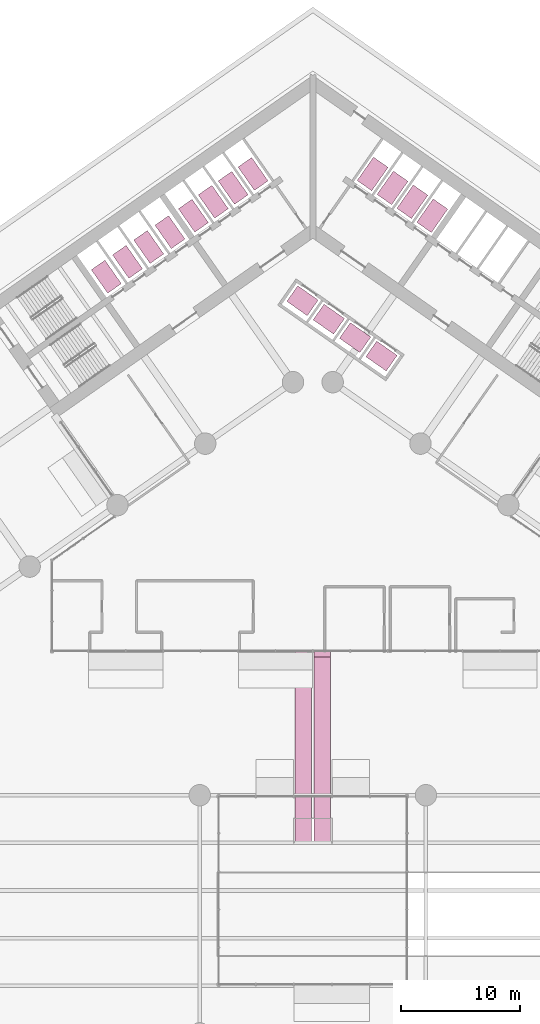
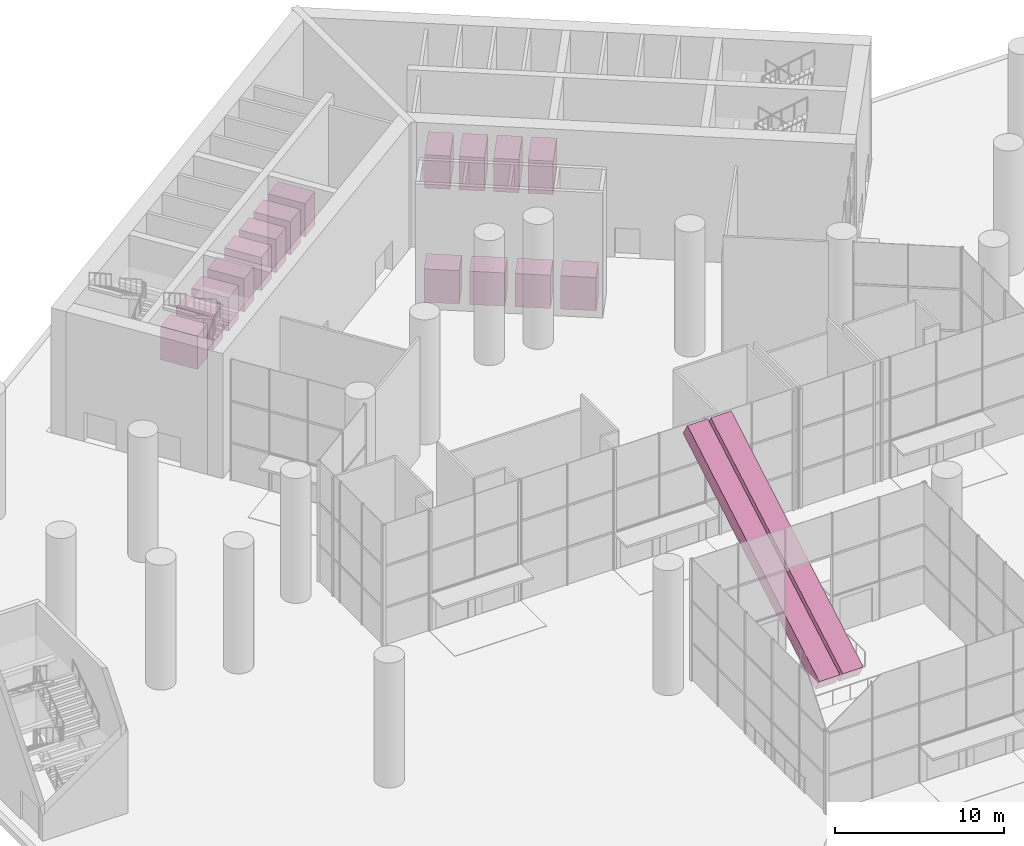
# One storey, part 37 of 37: 18 transport elements.
"""IFC4 building model written with IfcOpenShell, lengths in metres."""

from ifc_helpers import new_model, si_unit, direction, frame, origin, origin_2d, place, context, subcontext, project, spatial, polyline, rectangle, outline, extrude, material, type_object, element, save


model = new_model("IFC4")

# Units and contexts
model_context = context("Model", 3, precision=1e-05, world=origin(), true_north=direction((0.0, 1.0)))
body_context = subcontext(model_context, "Body", "Model", "MODEL_VIEW")
ifc_project = project(units=[si_unit("LENGTHUNIT", "METRE"), si_unit("AREAUNIT", "SQUARE_METRE"), si_unit("VOLUMEUNIT", "CUBIC_METRE"), si_unit("PLANEANGLEUNIT", "RADIAN"), si_unit("MASSUNIT", "GRAM", prefix="KILO")], contexts=[model_context])

# Site, building, storey
site_placement = place(None, origin())
site = spatial("IfcSite", under=ifc_project, at=site_placement, CompositionType="ELEMENT")
building_placement = place(site_placement, origin())
building = spatial("IfcBuilding", under=site, at=building_placement, Name="Tel Ilan Convention Tower", CompositionType="ELEMENT")
storey_placement = place(building_placement, origin())
storey = spatial("IfcBuildingStorey", under=building, at=storey_placement, Name="L00", CompositionType="ELEMENT", Elevation=0.0)

# Transport elements
ifc_material_1 = material(Name="Stainless Steel Grade 316", Category="steel")
transport_element_type_1 = type_object("IfcTransportElementType", Name="Escalator 1000 mm 30 degree", PredefinedType="ESCALATOR", material=ifc_material_1)
for number, where, z_axis, x_axis, name in (
    (1, (-1.5, -52.0, 0.0), (0.0, -0.5000018851, 0.866024315419), (1.0, 0.0, 0.0), "Escalator L00 to L01 up"),
    (2, (0.10009765625, -52.0, 0.0), (0.0, -0.5000018851, 0.866024315419), (1.0, 0.0, 0.0), "Escalator L00 to L01 down"),
):
    element("IfcTransportElement", number, at=place(storey_placement, frame(where, z_axis=z_axis, x_axis=x_axis)), inside=storey, type_object=transport_element_type_1, Name=name, PredefinedType="ESCALATOR", context=body_context, shape_type="SweptSolid", body=[
        extrude(outline(polyline([(0.0, 0.0), (1.39990234375, 0.0), (1.39990234375, 17.999932136672626), (0.0, 17.999932136672626), (0.0, 0.0)])), origin(), (0.0, 0.0, -1.0), 1.0),
    ])
ifc_material_2 = material(Name="Stainless Steel Grade 316", Category="steel")
transport_element_type_2 = type_object("IfcTransportElementType", Name="Passenger Lift Car 1600 kg 1400 x 2400", PredefinedType="ELEVATOR", material=ifc_material_2)
for number, where, z_axis, x_axis, name in (
    (3, (-5.021484375, 4.1748046875, 0.0), (0.0, 0.0, 1.0), (-0.819152044289, -0.573576436351, 0.0), "Lift LR1"),
    (4, (-6.6904296875, 3.006103515625, 0.0), (0.0, 0.0, 1.0), (-0.819152044289, -0.573576436351, 0.0), "Lift LR2"),
    (5, (-8.359619140625, 1.83740234375, 0.0), (0.0, 0.0, 1.0), (-0.819152044289, -0.573576436351, 0.0), "Lift LR3"),
    (6, (-10.028564453125, 0.668701171875, 0.0), (0.0, 0.0, 1.0), (-0.819152044289, -0.573576436351, 0.0), "Lift LR4"),
    (7, (-11.99951171875, -0.711181640625, 0.0), (0.0, 0.0, 1.0), (-0.819152044289, -0.573576436351, 0.0), "Lift LR5"),
    (8, (-13.78125, -1.958984375, 0.0), (0.0, 0.0, 1.0), (-0.819152044289, -0.573576436351, 0.0), "Lift LR6"),
    (9, (-15.56298828125, -3.206298828125, 0.0), (0.0, 0.0, 1.0), (-0.819152044289, -0.573576436351, 0.0), "Lift LR7"),
    (10, (-17.344482421875, -4.453857421875, 0.0), (0.0, 0.0, 1.0), (-0.819152044289, -0.573576436351, 0.0), "Lift LR8"),
):
    element("IfcTransportElement", number, at=place(storey_placement, frame(where, z_axis=z_axis, x_axis=x_axis)), inside=storey, type_object=transport_element_type_2, Name=name, PredefinedType="ELEVATOR", context=body_context, shape_type="SweptSolid", body=[
        extrude(rectangle(XDim=1.39990234375, YDim=2.39990234375, at=origin_2d()), origin(), (0.0, 0.0, 1.0), 2.39990234375),
    ])
ifc_material_3 = material(Name="Stainless Steel Grade 316", Category="steel")
transport_element_type_3 = type_object("IfcTransportElementType", Name="Podium Lift Car 1600 kg 2100 x 1600", PredefinedType="ELEVATOR", material=ifc_material_3)
for number, where, z_axis, x_axis, name in (
    (11, (-0.869384765625, -6.4716796875, 0.0), (0.0, 0.0, 1.0), (0.819152044289, -0.573576436351, 0.0), "Lift PL1"),
    (12, (1.34228515625, -8.0205078125, 0.0), (0.0, 0.0, 1.0), (0.819152044289, -0.573576436351, 0.0), "Lift PL2"),
    (13, (3.55419921875, -9.569091796875, 0.0), (0.0, 0.0, 1.0), (0.819152044289, -0.573576436351, 0.0), "Lift PL3"),
    (14, (5.765869140625, -11.117919921875, 0.0), (0.0, 0.0, 1.0), (0.819152044289, -0.573576436351, 0.0), "Lift PL4"),
):
    element("IfcTransportElement", number, at=place(storey_placement, frame(where, z_axis=z_axis, x_axis=x_axis)), inside=storey, type_object=transport_element_type_3, Name=name, PredefinedType="ELEVATOR", context=body_context, shape_type="SweptSolid", body=[
        extrude(rectangle(XDim=2.10009765625, YDim=1.60009765625, at=origin_2d()), origin(), (0.0, 0.0, 1.0), 2.39990234375),
    ])
ifc_material_4 = material(Name="Stainless Steel Grade 316", Category="steel")
transport_element_type_4 = type_object("IfcTransportElementType", Name="Shuttle Lift Car 2000 kg 1500 x 2400", PredefinedType="ELEVATOR", material=ifc_material_4)
for number, where, z_axis, x_axis, name in (
    (15, (5.021484375, 4.1748046875, 0.0), (0.0, 0.0, 1.0), (0.819152044289, -0.573576436351, 0.0), "Lift SH1"),
    (16, (6.6904296875, 3.006103515625, 0.0), (0.0, 0.0, 1.0), (0.819152044289, -0.573576436351, 0.0), "Lift SH2"),
    (17, (8.359619140625, 1.83740234375, 0.0), (0.0, 0.0, 1.0), (0.819152044289, -0.573576436351, 0.0), "Lift SH3"),
    (18, (10.028564453125, 0.668701171875, 0.0), (0.0, 0.0, 1.0), (0.819152044289, -0.573576436351, 0.0), "Lift SH4"),
):
    element("IfcTransportElement", number, at=place(storey_placement, frame(where, z_axis=z_axis, x_axis=x_axis)), inside=storey, type_object=transport_element_type_4, Name=name, PredefinedType="ELEVATOR", context=body_context, shape_type="SweptSolid", body=[
        extrude(rectangle(XDim=1.5, YDim=2.39990234375, at=origin_2d()), origin(), (0.0, 0.0, 1.0), 2.39990234375),
    ])

save(model, "model.ifc")
